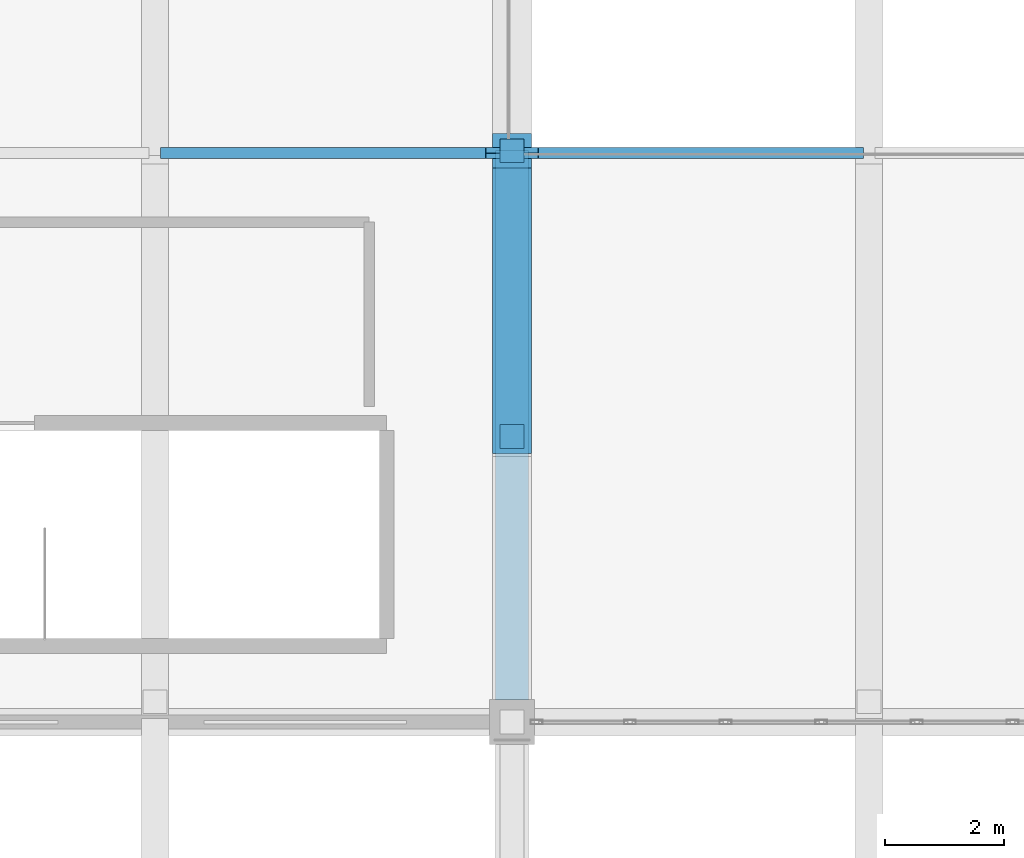
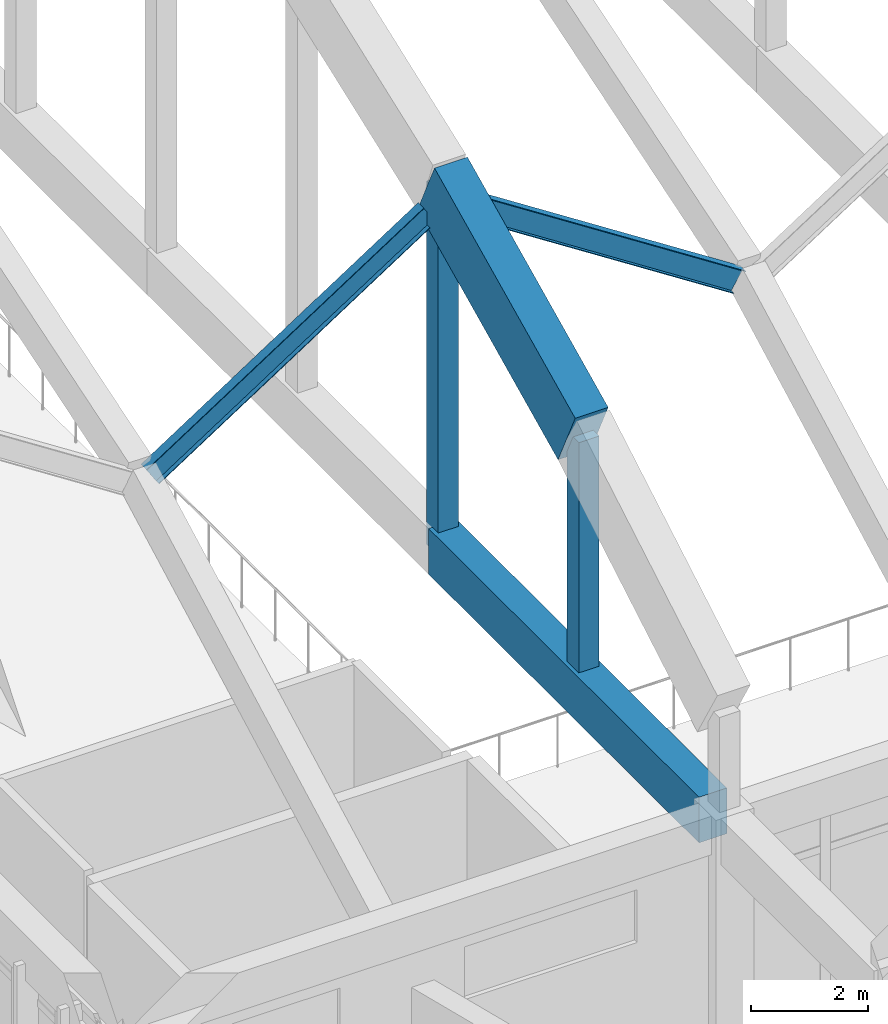
# One storey, part 32 of 236: 3 beams, 3 members.
"""IFC4 building model written with IfcOpenShell, lengths in metres."""

from ifc_helpers import new_model, si_unit, direction, frame, origin, origin_2d, place, context, subcontext, project, spatial, rectangle, i_section, extrude, material, material_profile, profile_set, type_object, element, save


model = new_model("IFC4")

# Units and contexts
model_context = context("Model", 3, precision=1e-05, world=origin(), true_north=direction((0.0, 1.0)))
body_context = subcontext(model_context, "Body", "Model", "MODEL_VIEW")
ifc_project = project(units=[si_unit("LENGTHUNIT", "METRE"), si_unit("AREAUNIT", "SQUARE_METRE"), si_unit("VOLUMEUNIT", "CUBIC_METRE"), si_unit("PLANEANGLEUNIT", "RADIAN"), si_unit("MASSUNIT", "GRAM", prefix="KILO")], contexts=[model_context])

# Site, building, storey
site_placement = place(None, origin())
site = spatial("IfcSite", under=ifc_project, at=site_placement, CompositionType="ELEMENT")
building_placement = place(site_placement, origin())
building = spatial("IfcBuilding", under=site, at=building_placement, Name="Pandanus Reach Market Hall", CompositionType="ELEMENT")
storey_placement = place(building_placement, frame((0.0, 0.0, 5.39990234375)))
storey = spatial("IfcBuildingStorey", under=building, at=storey_placement, Name="L01", CompositionType="ELEMENT", Elevation=5.39990234375)

# Members
ifc_material_1 = material(Name="Concrete N50 (50 MPa)", Category="concrete")
ifc_material_profile_1 = material_profile(ifc_material_1, rectangle(XDim=0.64990234375, YDim=1.35009765625, at=origin_2d()), Name="RC650x1350", Category="LoadBearing")
ifc_profile_set_1 = profile_set([ifc_material_profile_1], Name="Concrete N50 (50 MPa)")
member_type_1 = type_object("IfcMemberType", Name="AR-RC650-E", PredefinedType="CHORD", material=ifc_profile_set_1)
member_1_placement = place(storey_placement, frame((60.0, 33.60009765625, 10.59130859375), z_axis=(0.0, 0.901823476756, 0.43210463637), x_axis=(-1.0, 0.0, 0.0)))
element("IfcMember", 1, at=member_1_placement, inside=storey, type_object=member_type_1, Name="Parabolic arch top chord A2.2", PredefinedType="CHORD", context=body_context, shape_type="SweptSolid", body=[
    extrude(rectangle(XDim=0.64990234375, YDim=1.35009765625, at=origin_2d()), origin(), (0.0, 0.0, 1.0), 5.322265625),
])
ifc_material_profile_2 = material_profile(ifc_material_1, rectangle(XDim=0.39990234375, YDim=0.39990234375, at=origin_2d()), Name="RC400x400", Category="LoadBearing")
ifc_profile_set_2 = profile_set([ifc_material_profile_2], Name="Concrete N50 (50 MPa)")
member_type_2 = type_object("IfcMemberType", Name="AR-WEB400-E", PredefinedType="STRUT", material=ifc_profile_set_2)
member_2_placement = place(storey_placement, frame((60.0, 33.60009765625, 5.3251953125), z_axis=(0.0, 0.0, 1.0), x_axis=(1.0, 0.0, 0.0)))
element("IfcMember", 2, at=member_2_placement, inside=storey, type_object=member_type_2, Name="Arch truss vertical web strut A2.1", PredefinedType="STRUT", context=body_context, shape_type="SweptSolid", body=[
    extrude(rectangle(XDim=0.39990234375, YDim=0.39990234375, at=origin_2d()), origin(), (0.0, 0.0, 1.0), 5.26611328125),
])
member_3_placement = place(storey_placement, frame((60.0, 38.39990234375, 5.3251953125), z_axis=(0.0, 0.0, 1.0), x_axis=(1.0, 0.0, 0.0)))
element("IfcMember", 3, at=member_3_placement, inside=storey, type_object=member_type_2, Name="Arch truss vertical web strut A2.2", PredefinedType="STRUT", context=body_context, shape_type="SweptSolid", body=[
    extrude(rectangle(XDim=0.39990234375, YDim=0.39990234375, at=origin_2d()), origin(), (0.0, 0.0, 1.0), 7.56591796875),
])

# Beams
ifc_material_profile_3 = material_profile(ifc_material_1, rectangle(XDim=0.550048828125, YDim=0.949951171875, at=origin_2d()), Name="RC550x950", Category="LoadBearing")
ifc_profile_set_3 = profile_set([ifc_material_profile_3], Name="Concrete N50 (50 MPa)")
beam_type_1 = type_object("IfcBeamType", Name="BM-RC550-I", PredefinedType="BEAM", material=ifc_profile_set_3)
beam_placement = place(storey_placement, frame((60.0, 29.173095703125, 5.3251953125), z_axis=(0.0, 1.0, 0.0), x_axis=(-1.0, 0.0, 0.0)))
element("IfcBeam", 4, at=beam_placement, inside=storey, type_object=beam_type_1, Name="Parabolic arch tie girder A2.1", PredefinedType="BEAM", context=body_context, shape_type="SweptSolid", body=[
    extrude(rectangle(XDim=0.550048828125, YDim=0.949951171875, at=origin_2d()), origin(), (0.0, 0.0, 1.0), 9.226806640625),
])
ifc_material_2 = material(Name="Steel Grade 350 (350 MPa)", Category="steel")
ifc_material_profile_4 = material_profile(ifc_material_2, i_section(OverallWidth=0.18994140625, OverallDepth=0.45703125, WebThickness=0.009033203125, FlangeThickness=0.014404296875, at=origin_2d()), Name="460UB74.6", Category="LoadBearing")
ifc_profile_set_4 = profile_set([ifc_material_profile_4], Name="Steel Grade 350 (350 MPa)")
beam_type_2 = type_object("IfcBeamType", Name="BM-UB460-I", PredefinedType="BEAM", material=ifc_profile_set_4)
for number, where, z_axis, x_axis, name in (
    (5, (54.219970703125, 38.360107421875, 8.88427734375), (0.839070527962, 0.0, 0.544022654956), (0.0, 1.0, 0.0), "Butterfly transverse rib B1.2R"),
    (6, (60.320068359375, 38.360107421875, 12.42431640625), (0.839070527962, 0.0, -0.544022654956), (0.0, 1.0, 0.0), "Butterfly transverse rib B2.2L"),
):
    element("IfcBeam", number, at=place(storey_placement, frame(where, z_axis=z_axis, x_axis=x_axis)), inside=storey, type_object=beam_type_2, Name=name, PredefinedType="BEAM", context=body_context, shape_type="SweptSolid", body=[
        extrude(i_section(OverallWidth=0.18994140625, OverallDepth=0.45703125, WebThickness=0.009033203125, FlangeThickness=0.014404296875, at=origin_2d()), origin(), (0.0, 0.0, 1.0), 6.507080078125),
    ])

save(model, "model.ifc")
